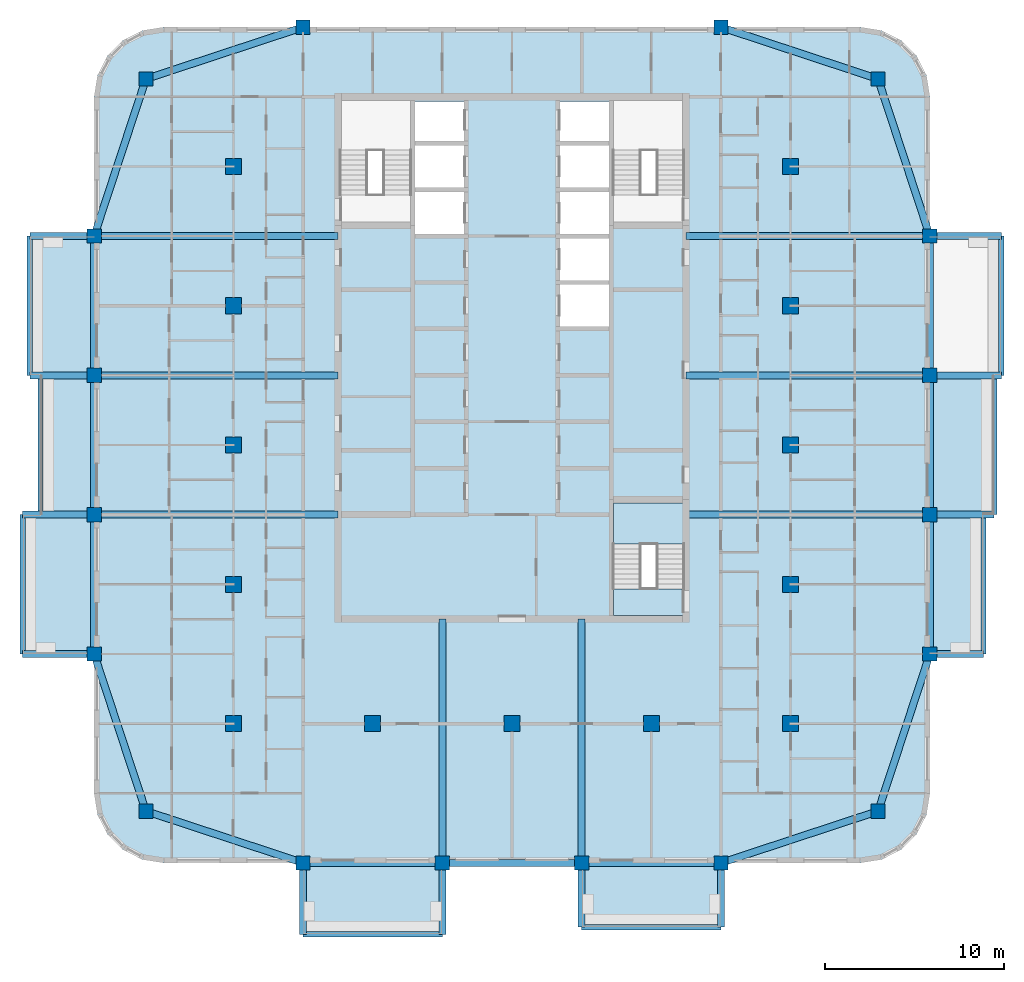
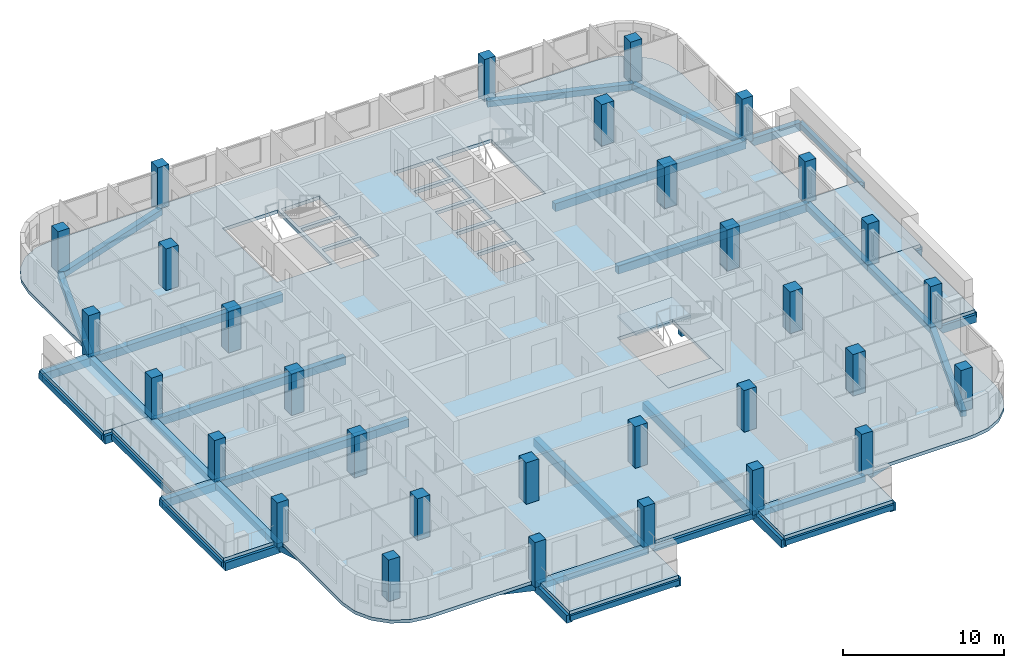
# One storey, part 1 of 16: 45 beams, 31 columns, 10 slabs, 1 element without a shape of its own.
"""IFC4 building model written with IfcOpenShell, lengths in metres."""

from ifc_helpers import new_model, si_unit, direction, frame, origin, origin_2d, place, context, subcontext, project, spatial, polyline, rectangle, outline, extrude, material, layer, layer_set, material_profile, profile_set, type_object, element, aggregate, save


model = new_model("IFC4")

# Units and contexts
model_context = context("Model", 3, precision=1e-05, world=origin(), true_north=direction((0.0, 1.0)))
body_context = subcontext(model_context, "Body", "Model", "MODEL_VIEW")
ifc_project = project(units=[si_unit("LENGTHUNIT", "METRE"), si_unit("AREAUNIT", "SQUARE_METRE"), si_unit("VOLUMEUNIT", "CUBIC_METRE"), si_unit("PLANEANGLEUNIT", "RADIAN"), si_unit("MASSUNIT", "GRAM", prefix="KILO")], contexts=[model_context])

# Site, building, storey
site_placement = place(None, origin())
site = spatial("IfcSite", under=ifc_project, at=site_placement, CompositionType="ELEMENT")
building_placement = place(site_placement, origin())
building = spatial("IfcBuilding", under=site, at=building_placement, Name="Ludao Terraces", CompositionType="ELEMENT")
storey_placement = place(building_placement, frame((0.0, 0.0, 224.5)))
storey = spatial("IfcBuildingStorey", under=building, at=storey_placement, Name="L61", CompositionType="ELEMENT", Elevation=224.5)

# Columns
ifc_material_1 = material(Name="Concrete C50", Category="concrete")
ifc_material_profile_1 = material_profile(ifc_material_1, rectangle(XDim=0.800048828125, YDim=0.800048828125, at=origin_2d()), Name="800 X 800")
ifc_profile_set_1 = profile_set([ifc_material_profile_1], Name="Concrete C50")
column_type_1 = type_object("IfcColumnType", Name="RC column 800x800 C50", PredefinedType="COLUMN", material=ifc_profile_set_1)
for number, where, z_axis, x_axis, name in (
    (1, (64.5, 44.5, -0.25), (0.0, 0.0, 1.0), (1.0, 0.0, 0.0), "Column L61 C0029x0029"),
    (2, (105.5, 44.5, -0.25), (0.0, 0.0, 1.0), (1.0, 0.0, 0.0), "Column L61 C0439x0029"),
    (3, (64.5, 85.5, -0.25), (0.0, 0.0, 1.0), (1.0, 0.0, 0.0), "Column L61 C0029x0439"),
    (4, (105.5, 85.5, -0.25), (0.0, 0.0, 1.0), (1.0, 0.0, 0.0), "Column L61 C0439x0439"),
    (5, (61.60009765625, 53.300048828125, -0.25), (0.0, 0.0, 1.0), (1.0, 0.0, 0.0), "Column L61 F0000x0117"),
    (6, (108.39990234375, 53.300048828125, -0.25), (0.0, 0.0, 1.0), (1.0, 0.0, 0.0), "Column L61 F0468x0117"),
    (7, (73.300048828125, 41.60009765625, -0.25), (0.0, 0.0, 1.0), (1.0, 0.0, 0.0), "Column L61 F0117x0000"),
    (8, (73.300048828125, 88.39990234375, -0.25), (0.0, 0.0, 1.0), (1.0, 0.0, 0.0), "Column L61 F0117x0468"),
    (9, (61.60009765625, 61.10009765625, -0.25), (0.0, 0.0, 1.0), (1.0, 0.0, 0.0), "Column L61 F0000x0195"),
    (10, (108.39990234375, 61.10009765625, -0.25), (0.0, 0.0, 1.0), (1.0, 0.0, 0.0), "Column L61 F0468x0195"),
    (11, (81.10009765625, 41.60009765625, -0.25), (0.0, 0.0, 1.0), (1.0, 0.0, 0.0), "Column L61 F0195x0000"),
    (12, (61.60009765625, 68.89990234375, -0.25), (0.0, 0.0, 1.0), (1.0, 0.0, 0.0), "Column L61 F0000x0273"),
    (13, (108.39990234375, 68.89990234375, -0.25), (0.0, 0.0, 1.0), (1.0, 0.0, 0.0), "Column L61 F0468x0273"),
    (14, (88.89990234375, 41.60009765625, -0.25), (0.0, 0.0, 1.0), (1.0, 0.0, 0.0), "Column L61 F0273x0000"),
    (15, (61.60009765625, 76.699951171875, -0.25), (0.0, 0.0, 1.0), (1.0, 0.0, 0.0), "Column L61 F0000x0351"),
    (16, (108.39990234375, 76.699951171875, -0.25), (0.0, 0.0, 1.0), (1.0, 0.0, 0.0), "Column L61 F0468x0351"),
    (17, (96.699951171875, 41.60009765625, -0.25), (0.0, 0.0, 1.0), (1.0, 0.0, 0.0), "Column L61 F0351x0000"),
    (18, (96.699951171875, 88.39990234375, -0.25), (0.0, 0.0, 1.0), (1.0, 0.0, 0.0), "Column L61 F0351x0468"),
):
    element("IfcColumn", number, at=place(storey_placement, frame(where, z_axis=z_axis, x_axis=x_axis)), inside=storey, type_object=column_type_1, Name=name, PredefinedType="COLUMN", context=body_context, shape_type="SweptSolid", body=[
        extrude(rectangle(XDim=0.800048828125, YDim=0.800048828125, at=origin_2d()), origin(), (0.0, 0.0, 1.0), 3.39990234375),
    ])
ifc_material_profile_2 = material_profile(ifc_material_1, rectangle(XDim=0.89990234375, YDim=0.89990234375, at=origin_2d()), Name="900 X 900")
ifc_profile_set_2 = profile_set([ifc_material_profile_2], Name="Concrete C50")
column_type_2 = type_object("IfcColumnType", Name="RC column 900x900 C50", PredefinedType="COLUMN", material=ifc_profile_set_2)
for number, where, z_axis, x_axis, name in (
    (19, (69.39990234375, 49.39990234375, -0.25), (0.0, 0.0, 1.0), (1.0, 0.0, 0.0), "Column L61 S0078x0078"),
    (20, (69.39990234375, 57.199951171875, -0.25), (0.0, 0.0, 1.0), (1.0, 0.0, 0.0), "Column L61 S0078x0156"),
    (21, (69.39990234375, 65.0, -0.25), (0.0, 0.0, 1.0), (1.0, 0.0, 0.0), "Column L61 S0078x0234"),
    (22, (69.39990234375, 72.800048828125, -0.25), (0.0, 0.0, 1.0), (1.0, 0.0, 0.0), "Column L61 S0078x0312"),
    (23, (69.39990234375, 80.60009765625, -0.25), (0.0, 0.0, 1.0), (1.0, 0.0, 0.0), "Column L61 S0078x0390"),
    (24, (77.199951171875, 49.39990234375, -0.25), (0.0, 0.0, 1.0), (1.0, 0.0, 0.0), "Column L61 S0156x0078"),
    (25, (85.0, 49.39990234375, -0.25), (0.0, 0.0, 1.0), (1.0, 0.0, 0.0), "Column L61 S0234x0078"),
    (26, (92.800048828125, 49.39990234375, -0.25), (0.0, 0.0, 1.0), (1.0, 0.0, 0.0), "Column L61 S0312x0078"),
    (27, (100.60009765625, 49.39990234375, -0.25), (0.0, 0.0, 1.0), (1.0, 0.0, 0.0), "Column L61 S0390x0078"),
    (28, (100.60009765625, 57.199951171875, -0.25), (0.0, 0.0, 1.0), (1.0, 0.0, 0.0), "Column L61 S0390x0156"),
    (29, (100.60009765625, 65.0, -0.25), (0.0, 0.0, 1.0), (1.0, 0.0, 0.0), "Column L61 S0390x0234"),
    (30, (100.60009765625, 72.800048828125, -0.25), (0.0, 0.0, 1.0), (1.0, 0.0, 0.0), "Column L61 S0390x0312"),
    (31, (100.60009765625, 80.60009765625, -0.25), (0.0, 0.0, 1.0), (1.0, 0.0, 0.0), "Column L61 S0390x0390"),
):
    element("IfcColumn", number, at=place(storey_placement, frame(where, z_axis=z_axis, x_axis=x_axis)), inside=storey, type_object=column_type_2, Name=name, PredefinedType="COLUMN", context=body_context, shape_type="SweptSolid", body=[
        extrude(rectangle(XDim=0.89990234375, YDim=0.89990234375, at=origin_2d()), origin(), (0.0, 0.0, 1.0), 3.39990234375),
    ])

# Beams
ifc_material_2 = material(Name="Concrete C40", Category="concrete")
ifc_material_profile_3 = material_profile(ifc_material_2, rectangle(XDim=0.300048828125, YDim=0.39990234375, at=origin_2d()), Name="300 X 400")
ifc_profile_set_3 = profile_set([ifc_material_profile_3], Name="Concrete C40")
beam_type_1 = type_object("IfcBeamType", Name="RC beam 300x400 C40", PredefinedType="BEAM", material=ifc_profile_set_3)
for number, where, z_axis, x_axis, name in (
    (32, (73.300048828125, 37.60009765625, -0.449951171875), (1.0, 0.0, 0.0), (0.0, 1.0, 0.0), "Balcony edge beam L61 S1"),
    (33, (88.89990234375, 38.0, -0.449951171875), (1.0, 0.0, 0.0), (0.0, 1.0, 0.0), "Balcony edge beam L61 S3"),
    (34, (111.39990234375, 53.300048828125, -0.449951171875), (0.0, 1.0, 0.0), (-1.0, 0.0, 0.0), "Balcony edge beam L61 E1"),
):
    element("IfcBeam", number, at=place(storey_placement, frame(where, z_axis=z_axis, x_axis=x_axis)), inside=storey, type_object=beam_type_1, Name=name, PredefinedType="BEAM", context=body_context, shape_type="SweptSolid", body=[
        extrude(rectangle(XDim=0.300048828125, YDim=0.39990234375, at=origin_2d()), origin(), (0.0, 0.0, 1.0), 7.800048828125),
    ])
beam_1_placement = place(storey_placement, frame((112.0, 61.10009765625, -0.449951171875), z_axis=(0.0, 1.0, 0.0), x_axis=(-1.0, 0.0, 0.0)))
element("IfcBeam", 35, at=beam_1_placement, inside=storey, type_object=beam_type_1, Name="Balcony edge beam L61 E2", PredefinedType="BEAM", context=body_context, shape_type="SweptSolid", body=[
    extrude(rectangle(XDim=0.300048828125, YDim=0.39990234375, at=origin_2d()), origin(), (0.0, 0.0, 1.0), 7.7998046875),
])
for number, where, z_axis, x_axis, name in (
    (36, (112.39990234375, 68.89990234375, -0.449951171875), (0.0, 1.0, 0.0), (-1.0, 0.0, 0.0), "Balcony edge beam L61 E3"),
    (37, (57.60009765625, 53.300048828125, -0.449951171875), (0.0, 1.0, 0.0), (-1.0, 0.0, 0.0), "Balcony edge beam L61 W1"),
):
    element("IfcBeam", number, at=place(storey_placement, frame(where, z_axis=z_axis, x_axis=x_axis)), inside=storey, type_object=beam_type_1, Name=name, PredefinedType="BEAM", context=body_context, shape_type="SweptSolid", body=[
        extrude(rectangle(XDim=0.300048828125, YDim=0.39990234375, at=origin_2d()), origin(), (0.0, 0.0, 1.0), 7.800048828125),
    ])
beam_2_placement = place(storey_placement, frame((58.60009765625, 61.10009765625, -0.449951171875), z_axis=(0.0, 1.0, 0.0), x_axis=(-1.0, 0.0, 0.0)))
element("IfcBeam", 38, at=beam_2_placement, inside=storey, type_object=beam_type_1, Name="Balcony edge beam L61 W2", PredefinedType="BEAM", context=body_context, shape_type="SweptSolid", body=[
    extrude(rectangle(XDim=0.300048828125, YDim=0.39990234375, at=origin_2d()), origin(), (0.0, 0.0, 1.0), 7.7998046875),
])
beam_3_placement = place(storey_placement, frame((58.0, 68.89990234375, -0.449951171875), z_axis=(0.0, 1.0, 0.0), x_axis=(-1.0, 0.0, 0.0)))
element("IfcBeam", 39, at=beam_3_placement, inside=storey, type_object=beam_type_1, Name="Balcony edge beam L61 W3", PredefinedType="BEAM", context=body_context, shape_type="SweptSolid", body=[
    extrude(rectangle(XDim=0.300048828125, YDim=0.39990234375, at=origin_2d()), origin(), (0.0, 0.0, 1.0), 7.800048828125),
])
ifc_material_profile_4 = material_profile(ifc_material_2, rectangle(XDim=0.39990234375, YDim=0.449951171875, at=origin_2d()), Name="400 X 450")
ifc_profile_set_4 = profile_set([ifc_material_profile_4], Name="Concrete C40")
beam_type_2 = type_object("IfcBeamType", Name="RC beam 400x450 C40", PredefinedType="BEAM", material=ifc_profile_set_4)
beam_4_placement = place(storey_placement, frame((64.5, 44.5, -0.47509765625), z_axis=(0.949760691408, -0.312977042379, 0.0), x_axis=(0.312977042379, 0.949760691408, 0.0)))
element("IfcBeam", 40, at=beam_4_placement, inside=storey, type_object=beam_type_2, Name="Spandrel beam L61 S1", PredefinedType="BEAM", context=body_context, shape_type="SweptSolid", body=[
    extrude(rectangle(XDim=0.39990234375, YDim=0.449951171875, at=origin_2d()), origin(), (0.0, 0.0, 1.0), 9.265625),
])
beam_5_placement = place(storey_placement, frame((73.300048828125, 41.60009765625, -0.47509765625), z_axis=(1.0, 0.0, 0.0), x_axis=(0.0, 1.0, 0.0)))
element("IfcBeam", 41, at=beam_5_placement, inside=storey, type_object=beam_type_2, Name="Spandrel beam L61 S2", PredefinedType="BEAM", context=body_context, shape_type="SweptSolid", body=[
    extrude(rectangle(XDim=0.39990234375, YDim=0.449951171875, at=origin_2d()), origin(), (0.0, 0.0, 1.0), 7.800048828125),
])
beam_6_placement = place(storey_placement, frame((81.10009765625, 41.60009765625, -0.47509765625), z_axis=(1.0, 0.0, 0.0), x_axis=(0.0, 1.0, 0.0)))
element("IfcBeam", 42, at=beam_6_placement, inside=storey, type_object=beam_type_2, Name="Spandrel beam L61 S3", PredefinedType="BEAM", context=body_context, shape_type="SweptSolid", body=[
    extrude(rectangle(XDim=0.39990234375, YDim=0.449951171875, at=origin_2d()), origin(), (0.0, 0.0, 1.0), 7.7998046875),
])
beam_7_placement = place(storey_placement, frame((88.89990234375, 41.60009765625, -0.47509765625), z_axis=(1.0, 0.0, 0.0), x_axis=(0.0, 1.0, 0.0)))
element("IfcBeam", 43, at=beam_7_placement, inside=storey, type_object=beam_type_2, Name="Spandrel beam L61 S4", PredefinedType="BEAM", context=body_context, shape_type="SweptSolid", body=[
    extrude(rectangle(XDim=0.39990234375, YDim=0.449951171875, at=origin_2d()), origin(), (0.0, 0.0, 1.0), 7.800048828125),
])
for number, where, z_axis, x_axis, name in (
    (44, (96.699951171875, 41.60009765625, -0.47509765625), (0.949760691408, 0.312977042379, 0.0), (-0.312977042379, 0.949760691408, 0.0), "Spandrel beam L61 S5"),
    (45, (64.5, 85.5, -0.47509765625), (0.949760691408, 0.312977042379, 0.0), (-0.312977042379, 0.949760691408, 0.0), "Spandrel beam L61 N6"),
    (46, (96.699951171875, 88.39990234375, -0.47509765625), (0.949760691408, -0.312977042379, 0.0), (0.312977042379, 0.949760691408, 0.0), "Spandrel beam L61 N7"),
    (47, (64.5, 44.5, -0.47509765625), (-0.312977042379, 0.949760691408, 0.0), (-0.949760691408, -0.312977042379, 0.0), "Spandrel beam L61 W8"),
):
    element("IfcBeam", number, at=place(storey_placement, frame(where, z_axis=z_axis, x_axis=x_axis)), inside=storey, type_object=beam_type_2, Name=name, PredefinedType="BEAM", context=body_context, shape_type="SweptSolid", body=[
        extrude(rectangle(XDim=0.39990234375, YDim=0.449951171875, at=origin_2d()), origin(), (0.0, 0.0, 1.0), 9.265625),
    ])
beam_8_placement = place(storey_placement, frame((61.60009765625, 53.300048828125, -0.47509765625), z_axis=(0.0, 1.0, 0.0), x_axis=(-1.0, 0.0, 0.0)))
element("IfcBeam", 48, at=beam_8_placement, inside=storey, type_object=beam_type_2, Name="Spandrel beam L61 W9", PredefinedType="BEAM", context=body_context, shape_type="SweptSolid", body=[
    extrude(rectangle(XDim=0.39990234375, YDim=0.449951171875, at=origin_2d()), origin(), (0.0, 0.0, 1.0), 7.800048828125),
])
beam_9_placement = place(storey_placement, frame((61.60009765625, 61.10009765625, -0.47509765625), z_axis=(0.0, 1.0, 0.0), x_axis=(-1.0, 0.0, 0.0)))
element("IfcBeam", 49, at=beam_9_placement, inside=storey, type_object=beam_type_2, Name="Spandrel beam L61 W10", PredefinedType="BEAM", context=body_context, shape_type="SweptSolid", body=[
    extrude(rectangle(XDim=0.39990234375, YDim=0.449951171875, at=origin_2d()), origin(), (0.0, 0.0, 1.0), 7.7998046875),
])
beam_10_placement = place(storey_placement, frame((61.60009765625, 68.89990234375, -0.47509765625), z_axis=(0.0, 1.0, 0.0), x_axis=(-1.0, 0.0, 0.0)))
element("IfcBeam", 50, at=beam_10_placement, inside=storey, type_object=beam_type_2, Name="Spandrel beam L61 W11", PredefinedType="BEAM", context=body_context, shape_type="SweptSolid", body=[
    extrude(rectangle(XDim=0.39990234375, YDim=0.449951171875, at=origin_2d()), origin(), (0.0, 0.0, 1.0), 7.800048828125),
])
for number, where, z_axis, x_axis, name in (
    (51, (61.60009765625, 76.699951171875, -0.47509765625), (0.312977042379, 0.949760691408, 0.0), (-0.949760691408, 0.312977042379, 0.0), "Spandrel beam L61 W12"),
    (52, (105.5, 44.5, -0.47509765625), (0.312977042379, 0.949760691408, 0.0), (-0.949760691408, 0.312977042379, 0.0), "Spandrel beam L61 E13"),
):
    element("IfcBeam", number, at=place(storey_placement, frame(where, z_axis=z_axis, x_axis=x_axis)), inside=storey, type_object=beam_type_2, Name=name, PredefinedType="BEAM", context=body_context, shape_type="SweptSolid", body=[
        extrude(rectangle(XDim=0.39990234375, YDim=0.449951171875, at=origin_2d()), origin(), (0.0, 0.0, 1.0), 9.265625),
    ])
beam_11_placement = place(storey_placement, frame((108.39990234375, 53.300048828125, -0.47509765625), z_axis=(0.0, 1.0, 0.0), x_axis=(-1.0, 0.0, 0.0)))
element("IfcBeam", 53, at=beam_11_placement, inside=storey, type_object=beam_type_2, Name="Spandrel beam L61 E14", PredefinedType="BEAM", context=body_context, shape_type="SweptSolid", body=[
    extrude(rectangle(XDim=0.39990234375, YDim=0.449951171875, at=origin_2d()), origin(), (0.0, 0.0, 1.0), 7.800048828125),
])
beam_12_placement = place(storey_placement, frame((108.39990234375, 61.10009765625, -0.47509765625), z_axis=(0.0, 1.0, 0.0), x_axis=(-1.0, 0.0, 0.0)))
element("IfcBeam", 54, at=beam_12_placement, inside=storey, type_object=beam_type_2, Name="Spandrel beam L61 E15", PredefinedType="BEAM", context=body_context, shape_type="SweptSolid", body=[
    extrude(rectangle(XDim=0.39990234375, YDim=0.449951171875, at=origin_2d()), origin(), (0.0, 0.0, 1.0), 7.7998046875),
])
beam_13_placement = place(storey_placement, frame((108.39990234375, 68.89990234375, -0.47509765625), z_axis=(0.0, 1.0, 0.0), x_axis=(-1.0, 0.0, 0.0)))
element("IfcBeam", 55, at=beam_13_placement, inside=storey, type_object=beam_type_2, Name="Spandrel beam L61 E16", PredefinedType="BEAM", context=body_context, shape_type="SweptSolid", body=[
    extrude(rectangle(XDim=0.39990234375, YDim=0.449951171875, at=origin_2d()), origin(), (0.0, 0.0, 1.0), 7.800048828125),
])
beam_14_placement = place(storey_placement, frame((108.39990234375, 76.699951171875, -0.47509765625), z_axis=(-0.312977042379, 0.949760691408, 0.0), x_axis=(-0.949760691408, -0.312977042379, 0.0)))
element("IfcBeam", 56, at=beam_14_placement, inside=storey, type_object=beam_type_2, Name="Spandrel beam L61 E17", PredefinedType="BEAM", context=body_context, shape_type="SweptSolid", body=[
    extrude(rectangle(XDim=0.39990234375, YDim=0.449951171875, at=origin_2d()), origin(), (0.0, 0.0, 1.0), 9.265625),
])
ifc_material_profile_5 = material_profile(ifc_material_2, rectangle(XDim=0.39990234375, YDim=0.60009765625, at=origin_2d()), Name="400 X 600")
ifc_profile_set_5 = profile_set([ifc_material_profile_5], Name="Concrete C40")
beam_type_3 = type_object("IfcBeamType", Name="RC beam 400x600 C40", PredefinedType="BEAM", material=ifc_profile_set_5)
beam_15_placement = place(storey_placement, frame((108.39990234375, 53.300048828125, -0.550048828125), z_axis=(1.0, 0.0, 0.0), x_axis=(0.0, 1.0, 0.0)))
element("IfcBeam", 57, at=beam_15_placement, inside=storey, type_object=beam_type_3, Name="Balcony beam L61 E533", PredefinedType="BEAM", context=body_context, shape_type="SweptSolid", body=[
    extrude(rectangle(XDim=0.39990234375, YDim=0.60009765625, at=origin_2d()), origin(), (0.0, 0.0, 1.0), 3.0),
])
beam_16_placement = place(storey_placement, frame((94.75, 61.10009765625, -0.550048828125), z_axis=(1.0, 0.0, 0.0), x_axis=(0.0, 1.0, 0.0)))
element("IfcBeam", 58, at=beam_16_placement, inside=storey, type_object=beam_type_3, Name="Balcony beam L61 E611", PredefinedType="BEAM", context=body_context, shape_type="SweptSolid", body=[
    extrude(rectangle(XDim=0.39990234375, YDim=0.60009765625, at=origin_2d()), origin(), (0.0, 0.0, 1.0), 13.64990234375),
])
beam_17_placement = place(storey_placement, frame((108.39990234375, 61.10009765625, -0.550048828125), z_axis=(1.0, 0.0, 0.0), x_axis=(0.0, 1.0, 0.0)))
element("IfcBeam", 59, at=beam_17_placement, inside=storey, type_object=beam_type_3, Name="Balcony beam L61 E611", PredefinedType="BEAM", context=body_context, shape_type="SweptSolid", body=[
    extrude(rectangle(XDim=0.39990234375, YDim=0.60009765625, at=origin_2d()), origin(), (0.0, 0.0, 1.0), 3.60009765625),
])
beam_18_placement = place(storey_placement, frame((94.75, 68.89990234375, -0.550048828125), z_axis=(1.0, 0.0, 0.0), x_axis=(0.0, 1.0, 0.0)))
element("IfcBeam", 60, at=beam_18_placement, inside=storey, type_object=beam_type_3, Name="Balcony beam L61 E689", PredefinedType="BEAM", context=body_context, shape_type="SweptSolid", body=[
    extrude(rectangle(XDim=0.39990234375, YDim=0.60009765625, at=origin_2d()), origin(), (0.0, 0.0, 1.0), 13.64990234375),
])
beam_19_placement = place(storey_placement, frame((108.39990234375, 68.89990234375, -0.550048828125), z_axis=(1.0, 0.0, 0.0), x_axis=(0.0, 1.0, 0.0)))
element("IfcBeam", 61, at=beam_19_placement, inside=storey, type_object=beam_type_3, Name="Balcony beam L61 E689", PredefinedType="BEAM", context=body_context, shape_type="SweptSolid", body=[
    extrude(rectangle(XDim=0.39990234375, YDim=0.60009765625, at=origin_2d()), origin(), (0.0, 0.0, 1.0), 4.0),
])
beam_20_placement = place(storey_placement, frame((94.75, 76.699951171875, -0.550048828125), z_axis=(1.0, 0.0, 0.0), x_axis=(0.0, 1.0, 0.0)))
element("IfcBeam", 62, at=beam_20_placement, inside=storey, type_object=beam_type_3, Name="Balcony beam L61 E767", PredefinedType="BEAM", context=body_context, shape_type="SweptSolid", body=[
    extrude(rectangle(XDim=0.39990234375, YDim=0.60009765625, at=origin_2d()), origin(), (0.0, 0.0, 1.0), 13.64990234375),
])
for number, where, z_axis, x_axis, name in (
    (63, (108.39990234375, 76.699951171875, -0.550048828125), (1.0, 0.0, 0.0), (0.0, 1.0, 0.0), "Balcony beam L61 E767"),
    (64, (73.300048828125, 41.60009765625, -0.550048828125), (0.0, -1.0, 0.0), (1.0, 0.0, 0.0), "Balcony beam L61 S733"),
):
    element("IfcBeam", number, at=place(storey_placement, frame(where, z_axis=z_axis, x_axis=x_axis)), inside=storey, type_object=beam_type_3, Name=name, PredefinedType="BEAM", context=body_context, shape_type="SweptSolid", body=[
        extrude(rectangle(XDim=0.39990234375, YDim=0.60009765625, at=origin_2d()), origin(), (0.0, 0.0, 1.0), 4.0),
    ])
beam_21_placement = place(storey_placement, frame((81.10009765625, 55.25, -0.550048828125), z_axis=(0.0, -1.0, 0.0), x_axis=(1.0, 0.0, 0.0)))
element("IfcBeam", 65, at=beam_21_placement, inside=storey, type_object=beam_type_3, Name="Balcony beam L61 S811", PredefinedType="BEAM", context=body_context, shape_type="SweptSolid", body=[
    extrude(rectangle(XDim=0.39990234375, YDim=0.60009765625, at=origin_2d()), origin(), (0.0, 0.0, 1.0), 13.64990234375),
])
beam_22_placement = place(storey_placement, frame((81.10009765625, 41.60009765625, -0.550048828125), z_axis=(0.0, -1.0, 0.0), x_axis=(1.0, 0.0, 0.0)))
element("IfcBeam", 66, at=beam_22_placement, inside=storey, type_object=beam_type_3, Name="Balcony beam L61 S811", PredefinedType="BEAM", context=body_context, shape_type="SweptSolid", body=[
    extrude(rectangle(XDim=0.39990234375, YDim=0.60009765625, at=origin_2d()), origin(), (0.0, 0.0, 1.0), 4.0),
])
beam_23_placement = place(storey_placement, frame((88.89990234375, 55.25, -0.550048828125), z_axis=(0.0, -1.0, 0.0), x_axis=(1.0, 0.0, 0.0)))
element("IfcBeam", 67, at=beam_23_placement, inside=storey, type_object=beam_type_3, Name="Balcony beam L61 S889", PredefinedType="BEAM", context=body_context, shape_type="SweptSolid", body=[
    extrude(rectangle(XDim=0.39990234375, YDim=0.60009765625, at=origin_2d()), origin(), (0.0, 0.0, 1.0), 13.64990234375),
])
for number, where, z_axis, x_axis, name in (
    (68, (88.89990234375, 41.60009765625, -0.550048828125), (0.0, -1.0, 0.0), (1.0, 0.0, 0.0), "Balcony beam L61 S889"),
    (69, (96.699951171875, 41.60009765625, -0.550048828125), (0.0, -1.0, 0.0), (1.0, 0.0, 0.0), "Balcony beam L61 S967"),
):
    element("IfcBeam", number, at=place(storey_placement, frame(where, z_axis=z_axis, x_axis=x_axis)), inside=storey, type_object=beam_type_3, Name=name, PredefinedType="BEAM", context=body_context, shape_type="SweptSolid", body=[
        extrude(rectangle(XDim=0.39990234375, YDim=0.60009765625, at=origin_2d()), origin(), (0.0, 0.0, 1.0), 3.60009765625),
    ])
beam_24_placement = place(storey_placement, frame((61.60009765625, 53.300048828125, -0.550048828125), z_axis=(-1.0, 0.0, 0.0), x_axis=(0.0, -1.0, 0.0)))
element("IfcBeam", 70, at=beam_24_placement, inside=storey, type_object=beam_type_3, Name="Balcony beam L61 W533", PredefinedType="BEAM", context=body_context, shape_type="SweptSolid", body=[
    extrude(rectangle(XDim=0.39990234375, YDim=0.60009765625, at=origin_2d()), origin(), (0.0, 0.0, 1.0), 4.0),
])
beam_25_placement = place(storey_placement, frame((75.25, 61.10009765625, -0.550048828125), z_axis=(-1.0, 0.0, 0.0), x_axis=(0.0, -1.0, 0.0)))
element("IfcBeam", 71, at=beam_25_placement, inside=storey, type_object=beam_type_3, Name="Balcony beam L61 W611", PredefinedType="BEAM", context=body_context, shape_type="SweptSolid", body=[
    extrude(rectangle(XDim=0.39990234375, YDim=0.60009765625, at=origin_2d()), origin(), (0.0, 0.0, 1.0), 13.64990234375),
])
beam_26_placement = place(storey_placement, frame((61.60009765625, 61.10009765625, -0.550048828125), z_axis=(-1.0, 0.0, 0.0), x_axis=(0.0, -1.0, 0.0)))
element("IfcBeam", 72, at=beam_26_placement, inside=storey, type_object=beam_type_3, Name="Balcony beam L61 W611", PredefinedType="BEAM", context=body_context, shape_type="SweptSolid", body=[
    extrude(rectangle(XDim=0.39990234375, YDim=0.60009765625, at=origin_2d()), origin(), (0.0, 0.0, 1.0), 4.0),
])
beam_27_placement = place(storey_placement, frame((75.25, 68.89990234375, -0.550048828125), z_axis=(-1.0, 0.0, 0.0), x_axis=(0.0, -1.0, 0.0)))
element("IfcBeam", 73, at=beam_27_placement, inside=storey, type_object=beam_type_3, Name="Balcony beam L61 W689", PredefinedType="BEAM", context=body_context, shape_type="SweptSolid", body=[
    extrude(rectangle(XDim=0.39990234375, YDim=0.60009765625, at=origin_2d()), origin(), (0.0, 0.0, 1.0), 13.64990234375),
])
beam_28_placement = place(storey_placement, frame((61.60009765625, 68.89990234375, -0.550048828125), z_axis=(-1.0, 0.0, 0.0), x_axis=(0.0, -1.0, 0.0)))
element("IfcBeam", 74, at=beam_28_placement, inside=storey, type_object=beam_type_3, Name="Balcony beam L61 W689", PredefinedType="BEAM", context=body_context, shape_type="SweptSolid", body=[
    extrude(rectangle(XDim=0.39990234375, YDim=0.60009765625, at=origin_2d()), origin(), (0.0, 0.0, 1.0), 3.60009765625),
])
beam_29_placement = place(storey_placement, frame((75.25, 76.699951171875, -0.550048828125), z_axis=(-1.0, 0.0, 0.0), x_axis=(0.0, -1.0, 0.0)))
element("IfcBeam", 75, at=beam_29_placement, inside=storey, type_object=beam_type_3, Name="Balcony beam L61 W767", PredefinedType="BEAM", context=body_context, shape_type="SweptSolid", body=[
    extrude(rectangle(XDim=0.39990234375, YDim=0.60009765625, at=origin_2d()), origin(), (0.0, 0.0, 1.0), 13.64990234375),
])
beam_30_placement = place(storey_placement, frame((61.60009765625, 76.699951171875, -0.550048828125), z_axis=(-1.0, 0.0, 0.0), x_axis=(0.0, -1.0, 0.0)))
element("IfcBeam", 76, at=beam_30_placement, inside=storey, type_object=beam_type_3, Name="Balcony beam L61 W767", PredefinedType="BEAM", context=body_context, shape_type="SweptSolid", body=[
    extrude(rectangle(XDim=0.39990234375, YDim=0.60009765625, at=origin_2d()), origin(), (0.0, 0.0, 1.0), 3.60009765625),
])

# Slabs
ifc_layer_1 = layer(ifc_material_2, 0.25)
ifc_layer_set_1 = layer_set([ifc_layer_1], Name="Balcony slab 250 C40")
slab_type_1 = type_object("IfcSlabType", Name="Balcony slab 250 C40", PredefinedType="USERDEFINED", material=ifc_layer_set_1)
slab_1_placement = place(storey_placement, frame((0.0, 0.0, -0.25)))
element("IfcSlab", 77, at=slab_1_placement, inside=storey, type_object=slab_type_1, Name="Balcony L61 S1", ObjectType="BALCONY", PredefinedType="USERDEFINED", context=body_context, shape_type="SweptSolid", body=[
    extrude(outline(polyline([(73.300048828125, 37.60009765625), (81.10009765625, 37.60009765625), (81.10009765625, 41.60009765625), (73.300048828125, 41.60009765625), (73.300048828125, 37.60009765625)])), origin(), (0.0, 0.0, 1.0), 0.25),
])
slab_2_placement = place(storey_placement, frame((0.0, 0.0, -0.25)))
element("IfcSlab", 78, at=slab_2_placement, inside=storey, type_object=slab_type_1, Name="Balcony L61 S3", ObjectType="BALCONY", PredefinedType="USERDEFINED", context=body_context, shape_type="SweptSolid", body=[
    extrude(outline(polyline([(88.89990234375, 38.0), (96.699951171875, 38.0), (96.699951171875, 41.60009765625), (88.89990234375, 41.60009765625), (88.89990234375, 38.0)])), origin(), (0.0, 0.0, 1.0), 0.25),
])
slab_3_placement = place(storey_placement, frame((0.0, 0.0, -0.25)))
element("IfcSlab", 79, at=slab_3_placement, inside=storey, type_object=slab_type_1, Name="Balcony L61 E1", ObjectType="BALCONY", PredefinedType="USERDEFINED", context=body_context, shape_type="SweptSolid", body=[
    extrude(outline(polyline([(108.39990234375, 53.300048828125), (111.39990234375, 53.300048828125), (111.39990234375, 61.10009765625), (108.39990234375, 61.10009765625), (108.39990234375, 53.300048828125)])), origin(), (0.0, 0.0, 1.0), 0.25),
])
slab_4_placement = place(storey_placement, frame((0.0, 0.0, -0.25)))
element("IfcSlab", 80, at=slab_4_placement, inside=storey, type_object=slab_type_1, Name="Balcony L61 E2", ObjectType="BALCONY", PredefinedType="USERDEFINED", context=body_context, shape_type="SweptSolid", body=[
    extrude(outline(polyline([(108.39990234375, 61.10009765625), (112.0, 61.10009765625), (112.0, 68.89990234375), (108.39990234375, 68.89990234375), (108.39990234375, 61.10009765625)])), origin(), (0.0, 0.0, 1.0), 0.25),
])
slab_5_placement = place(storey_placement, frame((0.0, 0.0, -0.25)))
element("IfcSlab", 81, at=slab_5_placement, inside=storey, type_object=slab_type_1, Name="Balcony L61 W1", ObjectType="BALCONY", PredefinedType="USERDEFINED", context=body_context, shape_type="SweptSolid", body=[
    extrude(outline(polyline([(57.60009765625, 53.300048828125), (61.60009765625, 53.300048828125), (61.60009765625, 61.10009765625), (57.60009765625, 61.10009765625), (57.60009765625, 53.300048828125)])), origin(), (0.0, 0.0, 1.0), 0.25),
])
slab_6_placement = place(storey_placement, frame((0.0, 0.0, -0.25)))
element("IfcSlab", 82, at=slab_6_placement, inside=storey, type_object=slab_type_1, Name="Balcony L61 W2", ObjectType="BALCONY", PredefinedType="USERDEFINED", context=body_context, shape_type="SweptSolid", body=[
    extrude(outline(polyline([(58.60009765625, 61.10009765625), (61.60009765625, 61.10009765625), (61.60009765625, 68.89990234375), (58.60009765625, 68.89990234375), (58.60009765625, 61.10009765625)])), origin(), (0.0, 0.0, 1.0), 0.25),
])
slab_7_placement = place(storey_placement, frame((0.0, 0.0, -0.25)))
element("IfcSlab", 83, at=slab_7_placement, inside=storey, type_object=slab_type_1, Name="Balcony L61 W3", ObjectType="BALCONY", PredefinedType="USERDEFINED", context=body_context, shape_type="SweptSolid", body=[
    extrude(outline(polyline([(58.0, 68.89990234375), (61.60009765625, 68.89990234375), (61.60009765625, 76.699951171875), (58.0, 76.699951171875), (58.0, 68.89990234375)])), origin(), (0.0, 0.0, 1.0), 0.25),
])
ifc_layer_2 = layer(ifc_material_2, 0.25)
ifc_layer_set_2 = layer_set([ifc_layer_2], Name="Floor slab 250 C40")
slab_type_2 = type_object("IfcSlabType", Name="Floor slab 250 C40", PredefinedType="FLOOR", material=ifc_layer_set_2)
slab_8_placement = place(storey_placement, frame((0.0, 0.0, -0.25)))
element("IfcSlab", 84, at=slab_8_placement, inside=storey, type_object=slab_type_2, Name="Slab L61", PredefinedType="FLOOR", context=body_context, shape_type="SweptSolid", body=[
    extrude(outline(polyline([(104.5, 41.60009765625), (105.705078125, 41.790771484375), (106.79248046875, 42.3447265625), (107.6552734375, 43.20751953125), (108.209228515625, 44.294921875), (108.39990234375, 45.5), (108.39990234375, 84.5), (108.209228515625, 85.705078125), (107.6552734375, 86.79248046875), (106.79248046875, 87.6552734375), (105.705078125, 88.209228515625), (104.5, 88.39990234375), (65.5, 88.39990234375), (64.294921875, 88.209228515625), (63.20751953125, 87.6552734375), (62.3447265625, 86.79248046875), (61.790771484375, 85.705078125), (61.60009765625, 84.5), (61.60009765625, 45.5), (61.790771484375, 44.294921875), (62.3447265625, 43.20751953125), (63.20751953125, 42.3447265625), (64.294921875, 41.790771484375), (65.5, 41.60009765625), (104.5, 41.60009765625)]), holes=[polyline([(79.574951171875, 76.824951171875), (82.324951171875, 76.824951171875), (82.324951171875, 79.175048828125), (79.574951171875, 79.175048828125), (79.574951171875, 76.824951171875)]), polyline([(79.574951171875, 79.425048828125), (82.324951171875, 79.425048828125), (82.324951171875, 81.77490234375), (79.574951171875, 81.77490234375), (79.574951171875, 79.425048828125)]), polyline([(79.574951171875, 82.02490234375), (82.324951171875, 82.02490234375), (82.324951171875, 84.239990234375), (79.574951171875, 84.239990234375), (79.574951171875, 82.02490234375)]), polyline([(87.675048828125, 71.625), (90.425048828125, 71.625), (90.425048828125, 73.97509765625), (87.675048828125, 73.97509765625), (87.675048828125, 71.625)]), polyline([(87.675048828125, 74.22509765625), (90.425048828125, 74.22509765625), (90.425048828125, 76.574951171875), (87.675048828125, 76.574951171875), (87.675048828125, 74.22509765625)]), polyline([(87.675048828125, 76.824951171875), (90.425048828125, 76.824951171875), (90.425048828125, 79.175048828125), (87.675048828125, 79.175048828125), (87.675048828125, 76.824951171875)]), polyline([(87.675048828125, 79.425048828125), (90.425048828125, 79.425048828125), (90.425048828125, 81.77490234375), (87.675048828125, 81.77490234375), (87.675048828125, 79.425048828125)]), polyline([(87.675048828125, 82.02490234375), (90.425048828125, 82.02490234375), (90.425048828125, 84.239990234375), (87.675048828125, 84.239990234375), (87.675048828125, 82.02490234375)]), polyline([(75.375, 77.5), (79.324951171875, 77.5), (79.324951171875, 84.239990234375), (75.375, 84.239990234375), (75.375, 77.5)]), polyline([(90.675048828125, 77.5), (94.625, 77.5), (94.625, 84.239990234375), (90.675048828125, 84.239990234375), (90.675048828125, 77.5)]), polyline([(90.675048828125, 55.449951171875), (94.625, 55.449951171875), (94.625, 61.75), (90.675048828125, 61.75), (90.675048828125, 55.449951171875)])]), origin(), (0.0, 0.0, 1.0), 0.25),
])

# Stair, slabs
stair_type = type_object("IfcStairType", Name="INT Stair", PredefinedType="HALF_TURN_STAIR", material=ifc_material_2)
stair_placement = place(storey_placement, origin())
stair = element("IfcStair", 85, at=stair_placement, inside=storey, type_object=stair_type, Name="EXIT STAIR 3", PredefinedType="HALF_TURN_STAIR")
ifc_layer_3 = layer(ifc_material_2, 0.199951171875)
ifc_layer_set_3 = layer_set([ifc_layer_3], Name="INT Stair landing 200")
slab_type_3 = type_object("IfcSlabType", Name="INT Stair landing 200", PredefinedType="LANDING", material=ifc_layer_set_3)
slab_9_placement = place(storey_placement, frame((0.0, 0.0, 1.5)))
slab_9 = element("IfcSlab", 86, at=slab_9_placement, type_object=slab_type_3, Name="ST3 landing 1", PredefinedType="LANDING", context=body_context, shape_type="SweptSolid", body=[
    extrude(outline(polyline([(90.675048828125, 59.469970703125), (94.625, 59.469970703125), (94.625, 61.75), (90.675048828125, 61.75), (90.675048828125, 59.469970703125)])), origin(), (0.0, 0.0, 1.0), 0.199951171875),
])
slab_10_placement = place(storey_placement, frame((0.0, 0.0, -0.199951171875)))
slab_10 = element("IfcSlab", 87, at=slab_10_placement, type_object=slab_type_3, Name="ST3 landing 2", PredefinedType="LANDING", context=body_context, shape_type="SweptSolid", body=[
    extrude(outline(polyline([(90.675048828125, 55.449951171875), (94.625, 55.449951171875), (94.625, 56.949951171875), (90.675048828125, 56.949951171875), (90.675048828125, 55.449951171875)])), origin(), (0.0, 0.0, 1.0), 0.199951171875),
])
aggregate(stair, [slab_9, slab_10])

save(model, "model.ifc")
